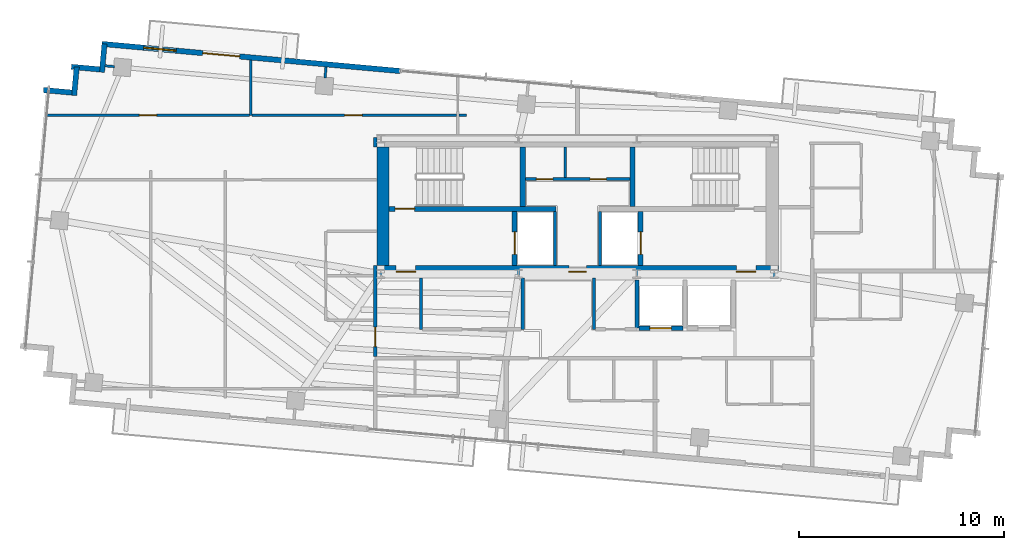
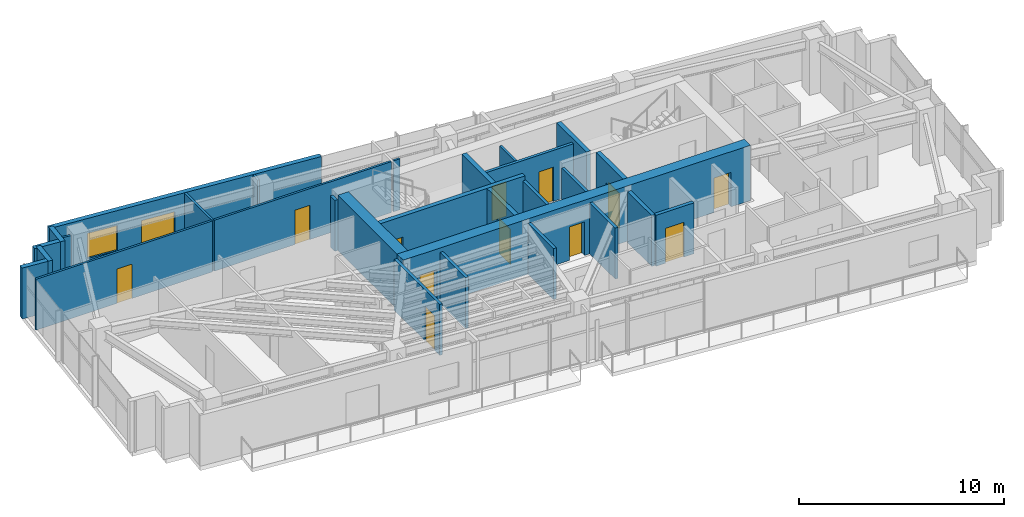
# One storey, part 17 of 22: 29 walls, 13 doors, 1 window, 14 openings.
"""IFC4 building model written with IfcOpenShell, lengths in metres."""

from ifc_helpers import new_model, si_unit, direction, frame, frame_2d, origin, place, context, subcontext, project, spatial, rectangle, extrude, source, transform, mapped, material, layer, layer_set, type_object, type_shapes, element, fill, save


model = new_model("IFC4")

# Units and contexts
model_context = context("Model", 3, precision=1e-05, world=origin(), true_north=direction((0.0, 1.0)))
body_context = subcontext(model_context, "Body", "Model", "MODEL_VIEW")
ifc_project = project(units=[si_unit("LENGTHUNIT", "METRE"), si_unit("AREAUNIT", "SQUARE_METRE"), si_unit("VOLUMEUNIT", "CUBIC_METRE"), si_unit("PLANEANGLEUNIT", "RADIAN"), si_unit("MASSUNIT", "GRAM", prefix="KILO")], contexts=[model_context])

# Site, building, storey
site_placement = place(None, origin())
site = spatial("IfcSite", under=ifc_project, at=site_placement, CompositionType="ELEMENT")
building_placement = place(site_placement, origin())
building = spatial("IfcBuilding", under=site, at=building_placement, Name="Astriad Promenade Condominiums", CompositionType="ELEMENT")
storey_placement = place(building_placement, frame((0.0, 0.0, 236.39990234375)))
storey = spatial("IfcBuildingStorey", under=building, at=storey_placement, Name="L68", CompositionType="ELEMENT", Elevation=236.39990234375)

# Wall, openings, doors
ifc_material_1 = material(Name="Concrete C50/60", Category="concrete")
ifc_layer_1 = layer(ifc_material_1, 0.60009765625)
ifc_layer_set_1 = layer_set([ifc_layer_1], Name="Concrete C50/60")
wall_type_1 = type_object("IfcWallType", Name="CW-SHEAR-600", PredefinedType="SHEAR", material=ifc_layer_set_1)
wall_1_placement = place(storey_placement, frame((26.199951171875, 17.5, 0.0), z_axis=(0.0, 0.0, 1.0), x_axis=(1.0, 0.0, 0.0)))
wall_1 = element("IfcWall", 1, at=wall_1_placement, inside=storey, type_object=wall_type_1, Name="CW-CORE-S-L68", PredefinedType="SHEAR", context=body_context, shape_type="SweptSolid", body=[
    extrude(rectangle(XDim=19.60009765625, YDim=0.60009765625, at=frame_2d((9.800048828125, 0.0))), origin(), (0.0, 0.0, 1.0), 3.300048828125),
])
opening_1_placement = place(wall_1_placement, frame((0.949951171875, 0.0, 0.0)))
opening_1 = element("IfcOpeningElement", 2, at=opening_1_placement, cuts=wall_1, Name="Opening FD90-ST-095", PredefinedType="OPENING", context=body_context, shape_type="SweptSolid", body=[
    extrude(rectangle(XDim=0.949951171875, YDim=2.06005859375, at=frame_2d((0.47509765625, 1.030029296875))), frame((0.0, 0.31005859375, 0.0), z_axis=(0.0, -1.0, 0.0), x_axis=(1.0, 0.0, 0.0)), (0.0, 0.0, 1.0), 0.6201171875),
])
opening_2_placement = place(wall_1_placement, frame((9.3798828125, 0.0, 0.0)))
opening_2 = element("IfcOpeningElement", 3, at=opening_2_placement, cuts=wall_1, Name="Opening FD60-ULOW-085", PredefinedType="OPENING", context=body_context, shape_type="SweptSolid", body=[
    extrude(rectangle(XDim=0.85009765625, YDim=2.0, at=frame_2d((0.425048828125, 1.0))), frame((0.0, 0.31005859375, 0.0), z_axis=(0.0, -1.0, 0.0), x_axis=(1.0, 0.0, 0.0)), (0.0, 0.0, 1.0), 0.6201171875),
])
opening_3_placement = place(wall_1_placement, frame((17.550048828125, 0.0, 0.0)))
opening_3 = element("IfcOpeningElement", 4, at=opening_3_placement, cuts=wall_1, Name="Opening FD90-ST-095", PredefinedType="OPENING", context=body_context, shape_type="SweptSolid", body=[
    extrude(rectangle(XDim=0.949951171875, YDim=2.06005859375, at=frame_2d((0.47509765625, 1.030029296875))), frame((0.0, 0.31005859375, 0.0), z_axis=(0.0, -1.0, 0.0), x_axis=(1.0, 0.0, 0.0)), (0.0, 0.0, 1.0), 0.6201171875),
])
ifc_material_2 = material(Name="Fire-Rated Hollow Metal Stair Door")
door_type_1 = type_object("IfcDoorType", Name="FD90-ST-095", OperationType="NOTDEFINED", PredefinedType="DOOR", material=ifc_material_2)
shared_shape_1 = source(origin(), body_context, "Body", "SweptSolid", [
    extrude(rectangle(XDim=0.949951171875, YDim=2.06005859375, at=frame_2d((0.47509765625, 1.030029296875))), frame((0.0, 0.02490234375, 0.0), z_axis=(0.0, -1.0, 0.0), x_axis=(1.0, 0.0, 0.0)), (0.0, 0.0, 1.0), 0.050048828125),
])
type_shapes(door_type_1, [shared_shape_1])
door_1_placement = place(opening_1_placement, origin())
door_1 = element("IfcDoor", 5, at=door_1_placement, inside=storey, type_object=door_type_1, Name="D-FFW-L68", OperationType="SINGLE_SWING_LEFT", OverallHeight=2.06005859375, OverallWidth=0.949951171875, PredefinedType="DOOR", context=body_context, shape_type="MappedRepresentation", body=[
    mapped(shared_shape_1, transform((0.0, 0.0, 0.0), scale=1.0)),
])
fill(opening_1, door_1)
door_2_placement = place(opening_3_placement, origin())
door_2 = element("IfcDoor", 6, at=door_2_placement, inside=storey, type_object=door_type_1, Name="D-FFE-L68", OperationType="SINGLE_SWING_RIGHT", OverallHeight=2.06005859375, OverallWidth=0.949951171875, PredefinedType="DOOR", context=body_context, shape_type="MappedRepresentation", body=[
    mapped(shared_shape_1, transform((0.0, 0.0, 0.0), scale=1.0)),
])
fill(opening_3, door_2)
ifc_material_3 = material(Name="Solid-Core Low-Headroom Fire Door")
door_type_2 = type_object("IfcDoorType", Name="FD60-ULOW-085", OperationType="NOTDEFINED", PredefinedType="DOOR", material=ifc_material_3)
shared_shape_2 = source(origin(), body_context, "Body", "SweptSolid", [
    extrude(rectangle(XDim=0.85009765625, YDim=2.0, at=frame_2d((0.425048828125, 1.0))), frame((0.0, 0.02490234375, 0.0), z_axis=(0.0, -1.0, 0.0), x_axis=(1.0, 0.0, 0.0)), (0.0, 0.0, 1.0), 0.050048828125),
])
type_shapes(door_type_2, [shared_shape_2])
door_3_placement = place(opening_2_placement, origin())
door_3 = element("IfcDoor", 7, at=door_3_placement, inside=storey, type_object=door_type_2, Name="D-CSL-L68", OperationType="SINGLE_SWING_RIGHT", OverallHeight=2.0, OverallWidth=0.85009765625, PredefinedType="DOOR", context=body_context, shape_type="MappedRepresentation", body=[
    mapped(shared_shape_2, transform((0.0, 0.0, 0.0), scale=1.0)),
])
fill(opening_2, door_3)

# Wall
wall_2_placement = place(storey_placement, frame((26.5, 17.802001953125, 0.0), z_axis=(0.0, 0.0, 1.0), x_axis=(0.0, 1.0, 0.0)))
element("IfcWall", 8, at=wall_2_placement, inside=storey, type_object=wall_type_1, Name="CW-CORE-W-L68", PredefinedType="SHEAR", context=body_context, shape_type="SweptSolid", body=[
    extrude(rectangle(XDim=5.7958984375, YDim=0.60009765625, at=frame_2d((2.89794921875, 0.0))), origin(), (0.0, 0.0, 1.0), 3.300048828125),
])

# Wall, opening, door
ifc_layer_2 = layer(ifc_material_1, 0.25)
ifc_layer_set_2 = layer_set([ifc_layer_2], Name="Concrete C50/60")
wall_type_2 = type_object("IfcWallType", Name="WALL-CORE-INT-250", PredefinedType="SOLIDWALL", material=ifc_layer_set_2)
wall_3_placement = place(storey_placement, frame((26.802001953125, 20.574951171875, 0.0), z_axis=(0.0, 0.0, 1.0), x_axis=(1.0, 0.0, 0.0)))
wall_3 = element("IfcWall", 9, at=wall_3_placement, inside=storey, type_object=wall_type_2, Name="CW-INT-H1-L68", PredefinedType="SOLIDWALL", context=body_context, shape_type="SweptSolid", body=[
    extrude(rectangle(XDim=8.14794921875, YDim=0.25, at=frame_2d((4.073974609375, 0.0))), origin(), (0.0, 0.0, 1.0), 3.300048828125),
])
opening_4_placement = place(wall_3_placement, frame((0.298095703125, 0.0, 0.0)))
opening_4 = element("IfcOpeningElement", 10, at=opening_4_placement, cuts=wall_3, Name="Opening FD90-ST-095", PredefinedType="OPENING", context=body_context, shape_type="SweptSolid", body=[
    extrude(rectangle(XDim=0.949951171875, YDim=2.06005859375, at=frame_2d((0.47509765625, 1.030029296875))), frame((0.0, 0.135009765625, 0.0), z_axis=(0.0, -1.0, 0.0), x_axis=(1.0, 0.0, 0.0)), (0.0, 0.0, 1.0), 0.27001953125),
])
door_4_placement = place(opening_4_placement, origin())
door_4 = element("IfcDoor", 11, at=door_4_placement, inside=storey, type_object=door_type_1, Name="D-ST1-L68", OperationType="SINGLE_SWING_LEFT", OverallHeight=2.06005859375, OverallWidth=0.949951171875, PredefinedType="DOOR", context=body_context, shape_type="MappedRepresentation", body=[
    mapped(shared_shape_1, transform((0.0, 0.0, 0.0), scale=1.0)),
])
fill(opening_4, door_4)

# Walls
for number, where, z_axis, x_axis, name in (
    (12, (33.324951171875, 20.701904296875, 0.0), (0.0, 0.0, 1.0), (0.0, 1.0, 0.0), "CW-ST1-E-L68"),
    (13, (38.675048828125, 20.701904296875, 0.0), (0.0, 0.0, 1.0), (0.0, 1.0, 0.0), "CW-ST2-W-L68"),
):
    element("IfcWall", number, at=place(storey_placement, frame(where, z_axis=z_axis, x_axis=x_axis)), inside=storey, type_object=wall_type_2, Name=name, PredefinedType="SOLIDWALL", context=body_context, shape_type="SweptSolid", body=[
        extrude(rectangle(XDim=2.89599609375, YDim=0.25, at=frame_2d((1.447998046875, 0.0))), origin(), (0.0, 0.0, 1.0), 3.300048828125),
    ])

# Wall, opening, door
wall_4_placement = place(storey_placement, frame((32.925048828125, 17.802001953125, 0.0), z_axis=(0.0, 0.0, 1.0), x_axis=(0.0, 1.0, 0.0)))
wall_4 = element("IfcWall", 14, at=wall_4_placement, inside=storey, type_object=wall_type_2, Name="CW-FFL1-W-L68", PredefinedType="SOLIDWALL", context=body_context, shape_type="SweptSolid", body=[
    extrude(rectangle(XDim=2.64599609375, YDim=0.25, at=frame_2d((1.322998046875, 0.0))), origin(), (0.0, 0.0, 1.0), 3.300048828125),
])
opening_5_placement = place(wall_4_placement, frame((0.548095703125, 0.0, 0.0)))
opening_5 = element("IfcOpeningElement", 15, at=opening_5_placement, cuts=wall_4, Name="Opening LD-FFL-1122", PredefinedType="OPENING", context=body_context, shape_type="SweptSolid", body=[
    extrude(rectangle(XDim=1.10009765625, YDim=2.080078125, at=frame_2d((0.550048828125, 1.0400390625))), frame((0.0, 0.135009765625, 0.0), z_axis=(0.0, -1.0, 0.0), x_axis=(1.0, 0.0, 0.0)), (0.0, 0.0, 1.0), 0.27001953125),
])
ifc_material_4 = material(Name="Brushed Stainless Steel Fire Elevator Landing Door", Category="steel")
door_type_3 = type_object("IfcDoorType", Name="LD-FFL-1122", OperationType="NOTDEFINED", PredefinedType="DOOR", material=ifc_material_4)
shared_shape_3 = source(origin(), body_context, "Body", "SweptSolid", [
    extrude(rectangle(XDim=1.10009765625, YDim=2.080078125, at=frame_2d((0.550048828125, 1.0400390625))), frame((0.0, 0.02490234375, 0.0), z_axis=(0.0, -1.0, 0.0), x_axis=(1.0, 0.0, 0.0)), (0.0, 0.0, 1.0), 0.050048828125),
])
type_shapes(door_type_3, [shared_shape_3])
door_5_placement = place(opening_5_placement, origin())
door_5 = element("IfcDoor", 16, at=door_5_placement, inside=storey, type_object=door_type_3, Name="Elevator Landing Door FFL-1 (L68)", OperationType="SLIDING_TO_LEFT", OverallHeight=2.080078125, OverallWidth=1.10009765625, PredefinedType="DOOR", context=body_context, shape_type="MappedRepresentation", body=[
    mapped(shared_shape_3, transform((0.0, 0.0, 0.0), scale=1.0)),
])
fill(opening_5, door_5)

wall_5_placement = place(storey_placement, frame((39.074951171875, 17.802001953125, 0.0), z_axis=(0.0, 0.0, 1.0), x_axis=(0.0, 1.0, 0.0)))
wall_5 = element("IfcWall", 17, at=wall_5_placement, inside=storey, type_object=wall_type_2, Name="CW-FFL2-E-L68", PredefinedType="SOLIDWALL", context=body_context, shape_type="SweptSolid", body=[
    extrude(rectangle(XDim=2.64599609375, YDim=0.25, at=frame_2d((1.322998046875, 0.0))), origin(), (0.0, 0.0, 1.0), 3.300048828125),
])
opening_6_placement = place(wall_5_placement, frame((0.548095703125, 0.0, 0.0)))
opening_6 = element("IfcOpeningElement", 18, at=opening_6_placement, cuts=wall_5, Name="Opening LD-FFL-1122", PredefinedType="OPENING", context=body_context, shape_type="SweptSolid", body=[
    extrude(rectangle(XDim=1.10009765625, YDim=2.080078125, at=frame_2d((0.550048828125, 1.0400390625))), frame((0.0, 0.135009765625, 0.0), z_axis=(0.0, -1.0, 0.0), x_axis=(1.0, 0.0, 0.0)), (0.0, 0.0, 1.0), 0.27001953125),
])
door_6_placement = place(opening_6_placement, origin())
door_6 = element("IfcDoor", 19, at=door_6_placement, inside=storey, type_object=door_type_3, Name="Elevator Landing Door FFL-2 (L68)", OperationType="SLIDING_TO_RIGHT", OverallHeight=2.080078125, OverallWidth=1.10009765625, PredefinedType="DOOR", context=body_context, shape_type="MappedRepresentation", body=[
    mapped(shared_shape_3, transform((0.0, 0.0, 0.0), scale=1.0)),
])
fill(opening_6, door_6)

# Walls
ifc_material_5 = material(Name="Fire-Rated Gypsum Partition")
ifc_layer_3 = layer(ifc_material_5, 0.159912109375)
ifc_layer_set_3 = layer_set([ifc_layer_3], Name="Fire-Rated Gypsum Partition")
wall_type_3 = type_object("IfcWallType", Name="WALL-CORR-160", PredefinedType="PARTITIONING", material=ifc_layer_set_3)
for number, where, z_axis, x_axis, name in (
    (20, (34.89990234375, 17.802001953125, 0.0), (0.0, 0.0, 1.0), (0.0, 1.0, 0.0), "CW-FFL1-E-L68"),
    (21, (37.10009765625, 17.802001953125, 0.0), (0.0, 0.0, 1.0), (0.0, 1.0, 0.0), "CW-FFL2-W-L68"),
):
    element("IfcWall", number, at=place(storey_placement, frame(where, z_axis=z_axis, x_axis=x_axis)), inside=storey, type_object=wall_type_3, Name=name, PredefinedType="PARTITIONING", context=body_context, shape_type="SweptSolid", body=[
        extrude(rectangle(XDim=2.64599609375, YDim=0.159912109375, at=frame_2d((1.322998046875, 0.0))), origin(), (0.0, 0.0, 1.0), 3.0400390625),
    ])

# Wall, openings, doors
wall_6_placement = place(storey_placement, frame((33.451904296875, 22.030029296875, 0.0), z_axis=(0.0, 0.0, 1.0), x_axis=(1.0, 0.0, 0.0)))
wall_6 = element("IfcWall", 22, at=wall_6_placement, inside=storey, type_object=wall_type_3, Name="CW-AUX-N-L68", PredefinedType="PARTITIONING", context=body_context, shape_type="SweptSolid", body=[
    extrude(rectangle(XDim=5.09619140625, YDim=0.159912109375, at=frame_2d((2.548095703125, 0.0))), origin(), (0.0, 0.0, 1.0), 3.0400390625),
])
opening_7_placement = place(wall_6_placement, frame((0.5380859375, 0.0, 0.0)))
opening_7 = element("IfcOpeningElement", 23, at=opening_7_placement, cuts=wall_6, Name="Opening FD60-SV-080", PredefinedType="OPENING", context=body_context, shape_type="SweptSolid", body=[
    extrude(rectangle(XDim=0.800048828125, YDim=2.050048828125, at=frame_2d((0.39990234375, 1.02490234375))), frame((0.0, 0.08984375, 0.0), z_axis=(0.0, -1.0, 0.0), x_axis=(1.0, 0.0, 0.0)), (0.0, 0.0, 1.0), 0.179931640625),
])
opening_8_placement = place(wall_6_placement, frame((3.157958984375, 0.0, 0.0)))
opening_8 = element("IfcOpeningElement", 24, at=opening_8_placement, cuts=wall_6, Name="Opening FD60-SV-080", PredefinedType="OPENING", context=body_context, shape_type="SweptSolid", body=[
    extrude(rectangle(XDim=0.800048828125, YDim=2.050048828125, at=frame_2d((0.39990234375, 1.02490234375))), frame((0.0, 0.08984375, 0.0), z_axis=(0.0, -1.0, 0.0), x_axis=(1.0, 0.0, 0.0)), (0.0, 0.0, 1.0), 0.179931640625),
])
ifc_material_6 = material(Name="Fire-Rated Riser Closet Door")
door_type_4 = type_object("IfcDoorType", Name="FD60-SV-080", OperationType="NOTDEFINED", PredefinedType="DOOR", material=ifc_material_6)
shared_shape_4 = source(origin(), body_context, "Body", "SweptSolid", [
    extrude(rectangle(XDim=0.800048828125, YDim=2.050048828125, at=frame_2d((0.39990234375, 1.02490234375))), frame((0.0, 0.02490234375, 0.0), z_axis=(0.0, -1.0, 0.0), x_axis=(1.0, 0.0, 0.0)), (0.0, 0.0, 1.0), 0.050048828125),
])
type_shapes(door_type_4, [shared_shape_4])
door_7_placement = place(opening_7_placement, origin())
door_7 = element("IfcDoor", 25, at=door_7_placement, inside=storey, type_object=door_type_4, Name="D-AUX1-L68", OperationType="SINGLE_SWING_LEFT", OverallHeight=2.050048828125, OverallWidth=0.800048828125, PredefinedType="DOOR", context=body_context, shape_type="MappedRepresentation", body=[
    mapped(shared_shape_4, transform((0.0, 0.0, 0.0), scale=1.0)),
])
fill(opening_7, door_7)
door_8_placement = place(opening_8_placement, origin())
door_8 = element("IfcDoor", 26, at=door_8_placement, inside=storey, type_object=door_type_4, Name="D-AUX2-L68", OperationType="SINGLE_SWING_RIGHT", OverallHeight=2.050048828125, OverallWidth=0.800048828125, PredefinedType="DOOR", context=body_context, shape_type="MappedRepresentation", body=[
    mapped(shared_shape_4, transform((0.0, 0.0, 0.0), scale=1.0)),
])
fill(opening_8, door_8)

# Wall, opening, door
wall_7_placement = place(storey_placement, frame((26.1201171875, 13.362060546875, 0.0), z_axis=(0.0, 0.0, 1.0), x_axis=(0.0, 1.0, 0.0)))
wall_7 = element("IfcWall", 27, at=wall_7_placement, inside=storey, type_object=wall_type_3, Name="PT-COR-W-L68-S2", PredefinedType="PARTITIONING", context=body_context, shape_type="SweptSolid", body=[
    extrude(rectangle(XDim=4.43994140625, YDim=0.159912109375, at=frame_2d((2.219970703125, 0.0))), origin(), (0.0, 0.0, 1.0), 3.0400390625),
])
opening_9_placement = place(wall_7_placement, frame((0.492919921875, 0.0, 0.0)))
opening_9 = element("IfcOpeningElement", 28, at=opening_9_placement, cuts=wall_7, Name="Opening FD60-APT-095", PredefinedType="OPENING", context=body_context, shape_type="SweptSolid", body=[
    extrude(rectangle(XDim=0.949951171875, YDim=2.06005859375, at=frame_2d((0.47509765625, 1.030029296875))), frame((0.0, 0.08984375, 0.0), z_axis=(0.0, -1.0, 0.0), x_axis=(1.0, 0.0, 0.0)), (0.0, 0.0, 1.0), 0.179931640625),
])
ifc_material_7 = material(Name="Solid-Core Acoustic Timber Residence Entry Door", Category="wood")
door_type_5 = type_object("IfcDoorType", Name="FD60-APT-095", OperationType="NOTDEFINED", PredefinedType="DOOR", material=ifc_material_7)
shared_shape_5 = source(origin(), body_context, "Body", "SweptSolid", [
    extrude(rectangle(XDim=0.949951171875, YDim=2.06005859375, at=frame_2d((0.47509765625, 1.030029296875))), frame((0.0, 0.02490234375, 0.0), z_axis=(0.0, -1.0, 0.0), x_axis=(1.0, 0.0, 0.0)), (0.0, 0.0, 1.0), 0.050048828125),
])
type_shapes(door_type_5, [shared_shape_5])
door_9_placement = place(opening_9_placement, origin())
door_9 = element("IfcDoor", 29, at=door_9_placement, inside=storey, type_object=door_type_5, Name="D-ENT-L68-W1", OperationType="SINGLE_SWING_RIGHT", OverallHeight=2.06005859375, OverallWidth=0.949951171875, PredefinedType="DOOR", context=body_context, shape_type="MappedRepresentation", body=[
    mapped(shared_shape_5, transform((0.0, 0.0, 0.0), scale=1.0)),
])
fill(opening_9, door_9)

# Walls
wall_8_placement = place(storey_placement, frame((26.1201171875, 23.597900390625, 0.0), z_axis=(0.0, 0.0, 1.0), x_axis=(0.0, 1.0, 0.0)))
element("IfcWall", 30, at=wall_8_placement, inside=storey, type_object=wall_type_3, Name="PT-COR-W-L68-S3", PredefinedType="PARTITIONING", context=body_context, shape_type="SweptSolid", body=[
    extrude(rectangle(XDim=0.4521484375, YDim=0.159912109375, at=frame_2d((0.22607421875, 0.0))), origin(), (0.0, 0.0, 1.0), 3.0400390625),
])
for number, where, z_axis, x_axis, name in (
    (31, (28.360107421875, 14.699951171875, 0.0), (0.0, 0.0, 1.0), (0.0, 1.0, 0.0), "PT-Z3REC-W-L68"),
    (32, (33.320068359375, 14.699951171875, 0.0), (0.0, 0.0, 1.0), (0.0, 1.0, 0.0), "PT-Z3REC-E-L68"),
    (33, (36.800048828125, 14.699951171875, 0.0), (0.0, 0.0, 1.0), (0.0, 1.0, 0.0), "PT-Z3R2-W-L68"),
):
    element("IfcWall", number, at=place(storey_placement, frame(where, z_axis=z_axis, x_axis=x_axis)), inside=storey, type_object=wall_type_3, Name=name, PredefinedType="PARTITIONING", context=body_context, shape_type="SweptSolid", body=[
        extrude(rectangle(XDim=2.498046875, YDim=0.159912109375, at=frame_2d((1.2490234375, 0.0))), origin(), (0.0, 0.0, 1.0), 3.0400390625),
    ])
ifc_material_8 = material(Name="Precast concrete C50/60", Category="concrete")
ifc_layer_4 = layer(ifc_material_8, 0.260009765625)
ifc_layer_set_4 = layer_set([ifc_layer_4], Name="Precast concrete C50/60")
wall_type_4 = type_object("IfcWallType", Name="WALL-EXT-TWR-260", PredefinedType="STANDARD", material=ifc_layer_set_4)
for number, where, z_axis, x_axis, name in (
    (34, (9.93505859375, 26.376708984375, 0.0), (0.0, 0.0, 1.0), (0.995881721538, -0.090661991521, 0.0), "W-SER-L68-04"),
    (35, (11.427001953125, 26.110595703125, 0.0), (0.0, 0.0, 1.0), (0.090835571917, 0.995865904063, 0.0), "W-SER-L68-05"),
):
    element("IfcWall", number, at=place(storey_placement, frame(where, z_axis=z_axis, x_axis=x_axis)), inside=storey, type_object=wall_type_4, Name=name, PredefinedType="STANDARD", context=body_context, shape_type="SweptSolid", body=[
        extrude(rectangle(XDim=1.39501953125, YDim=0.260009765625, at=frame_2d((0.697509765625, 0.0))), origin(), (0.0, 0.0, 1.0), 3.0400390625),
    ])
wall_9_placement = place(storey_placement, frame((11.293212890625, 27.50830078125, 0.0), z_axis=(0.0, 0.0, 1.0), x_axis=(0.995883159782, -0.090646191665, 0.0)))
element("IfcWall", 36, at=wall_9_placement, inside=storey, type_object=wall_type_4, Name="W-SER-L68-06", PredefinedType="STANDARD", context=body_context, shape_type="SweptSolid", body=[
    extrude(rectangle(XDim=1.395263671875, YDim=0.260009765625, at=frame_2d((0.69775390625, 0.0))), origin(), (0.0, 0.0, 1.0), 3.0400390625),
])
wall_10_placement = place(storey_placement, frame((12.785400390625, 27.241943359375, 0.0), z_axis=(0.0, 0.0, 1.0), x_axis=(0.090472632758, 0.995898942023, 0.0)))
element("IfcWall", 37, at=wall_10_placement, inside=storey, type_object=wall_type_4, Name="W-SER-L68-07", PredefinedType="STANDARD", context=body_context, shape_type="SweptSolid", body=[
    extrude(rectangle(XDim=1.39501953125, YDim=0.260009765625, at=frame_2d((0.697509765625, 0.0))), origin(), (0.0, 0.0, 1.0), 3.0400390625),
])

# Wall, openings, door, window
wall_11_placement = place(storey_placement, frame((12.78076171875, 28.628173828125, 0.0), z_axis=(0.0, 0.0, 1.0), x_axis=(0.995884584572, -0.090630536861, 0.0)))
wall_11 = element("IfcWall", 38, at=wall_11_placement, inside=storey, type_object=wall_type_4, Name="W-EXT-L68-N1", PredefinedType="STANDARD", context=body_context, shape_type="SweptSolid", body=[
    extrude(rectangle(XDim=14.630126953125, YDim=0.260009765625, at=frame_2d((7.31494140625, 0.0))), origin(), (0.0, 0.0, 1.0), 3.0400390625),
])
opening_10_placement = place(wall_11_placement, frame((4.950927734375, 0.0, 0.0)))
opening_10 = element("IfcOpeningElement", 39, at=opening_10_placement, cuts=wall_11, Name="Opening BD-1822-SLD", PredefinedType="OPENING", context=body_context, shape_type="SweptSolid", body=[
    extrude(rectangle(XDim=1.800048828125, YDim=2.06005859375, at=frame_2d((0.89990234375, 1.030029296875))), frame((0.0, 0.139892578125, 0.0), z_axis=(0.0, -1.0, 0.0), x_axis=(1.0, 0.0, 0.0)), (0.0, 0.0, 1.0), 0.280029296875),
])
opening_11_placement = place(wall_11_placement, frame((2.050048828125, 0.0, 0.64990234375)))
opening_11 = element("IfcOpeningElement", 40, at=opening_11_placement, cuts=wall_11, Name="Opening WIN-TWR-1620", PredefinedType="OPENING", context=body_context, shape_type="SweptSolid", body=[
    extrude(rectangle(XDim=1.60009765625, YDim=1.5, at=frame_2d((0.800048828125, 0.75))), frame((0.0, 0.139892578125, 0.0), z_axis=(0.0, -1.0, 0.0), x_axis=(1.0, 0.0, 0.0)), (0.0, 0.0, 1.0), 0.280029296875),
])
ifc_material_9 = material(Name="Thermally Broken Aluminium Sliding Balcony Door", Category="aluminium")
door_type_6 = type_object("IfcDoorType", Name="BD-1822-SLD", OperationType="NOTDEFINED", PredefinedType="DOOR", material=ifc_material_9)
shared_shape_6 = source(origin(), body_context, "Body", "SweptSolid", [
    extrude(rectangle(XDim=1.800048828125, YDim=2.06005859375, at=frame_2d((0.89990234375, 1.030029296875))), frame((0.0, 0.02490234375, 0.0), z_axis=(0.0, -1.0, 0.0), x_axis=(1.0, 0.0, 0.0)), (0.0, 0.0, 1.0), 0.050048828125),
])
type_shapes(door_type_6, [shared_shape_6])
door_10_placement = place(opening_10_placement, origin())
door_10 = element("IfcDoor", 41, at=door_10_placement, inside=storey, type_object=door_type_6, Name="BD-L68-NW", OperationType="SLIDING_TO_LEFT", OverallHeight=2.06005859375, OverallWidth=1.800048828125, PredefinedType="DOOR", context=body_context, shape_type="MappedRepresentation", body=[
    mapped(shared_shape_6, transform((0.0, 0.0, 0.0), scale=1.0)),
])
fill(opening_10, door_10)
ifc_material_10 = material(Name="Dark Tinted Triple-Glazed Aluminium Window", Category="aluminium")
window_type = type_object("IfcWindowType", Name="WIN-TWR-1620", PartitioningType="SINGLE_PANEL", PredefinedType="WINDOW", material=ifc_material_10)
shared_shape_7 = source(origin(), body_context, "Body", "SweptSolid", [
    extrude(rectangle(XDim=1.60009765625, YDim=1.5, at=frame_2d((0.800048828125, 0.75))), frame((0.0, 0.030029296875, 0.0), z_axis=(0.0, -1.0, 0.0), x_axis=(1.0, 0.0, 0.0)), (0.0, 0.0, 1.0), 0.06005859375),
])
type_shapes(window_type, [shared_shape_7])
window_placement = place(opening_11_placement, origin())
window = element("IfcWindow", 42, at=window_placement, inside=storey, type_object=window_type, Name="WIN-L68-NW", OverallHeight=1.5, OverallWidth=1.60009765625, PartitioningType="SINGLE_PANEL", PredefinedType="WINDOW", context=body_context, shape_type="MappedRepresentation", body=[
    mapped(shared_shape_7, transform((0.0, 0.0, 0.0), scale=1.0)),
])
fill(opening_11, window)

# Walls
ifc_material_11 = material(Name="Acoustic Metal-Stud Gypsum Partition")
ifc_layer_5 = layer(ifc_material_11, 0.1201171875)
ifc_layer_set_5 = layer_set([ifc_layer_5], Name="Acoustic Metal-Stud Gypsum Partition")
wall_type_5 = type_object("IfcWallType", Name="WALL-PART-120", PredefinedType="PARTITIONING", material=ifc_layer_set_5)
wall_12_placement = place(storey_placement, frame((35.39990234375, 22.112060546875, 0.0), z_axis=(0.0, 0.0, 1.0), x_axis=(0.0, 1.0, 0.0)))
element("IfcWall", 43, at=wall_12_placement, inside=storey, type_object=wall_type_5, Name="CW-AUX-V1-L68", PredefinedType="PARTITIONING", context=body_context, shape_type="SweptSolid", body=[
    extrude(rectangle(XDim=1.48583984375, YDim=0.1201171875, at=frame_2d((0.742919921875, 0.0))), origin(), (0.0, 0.0, 1.0), 3.0400390625),
])
wall_13_placement = place(storey_placement, frame((20.044921875, 25.14208984375, 0.0), z_axis=(0.0, 0.0, 1.0), x_axis=(0.0, 1.0, 0.0)))
element("IfcWall", 44, at=wall_13_placement, inside=storey, type_object=wall_type_5, Name="PT-L68-W1-B1M", PredefinedType="PARTITIONING", context=body_context, shape_type="SweptSolid", body=[
    extrude(rectangle(XDim=2.6923828125, YDim=0.1201171875, at=frame_2d((1.34619140625, 0.0))), origin(), (0.0, 0.0, 1.0), 3.0400390625),
])

# Wall, opening, door
wall_14_placement = place(storey_placement, frame((10.03369140625, 25.14208984375, 0.0), z_axis=(0.0, 0.0, 1.0), x_axis=(1.0, 0.0, 0.0)))
wall_14 = element("IfcWall", 45, at=wall_14_placement, inside=storey, type_object=wall_type_5, Name="PT-L68-W1-B1", PredefinedType="PARTITIONING", context=body_context, shape_type="SweptSolid", body=[
    extrude(rectangle(XDim=9.94921875, YDim=0.1201171875, at=frame_2d((4.974609375, 0.0))), origin(), (0.0, 0.0, 1.0), 3.0400390625),
])
opening_12_placement = place(wall_14_placement, frame((4.573486328125, 0.0, 0.0)))
opening_12 = element("IfcOpeningElement", 46, at=opening_12_placement, cuts=wall_14, Name="Opening D-INT-085", PredefinedType="OPENING", context=body_context, shape_type="SweptSolid", body=[
    extrude(rectangle(XDim=0.85009765625, YDim=2.050048828125, at=frame_2d((0.425048828125, 1.02490234375))), frame((0.0, 0.070068359375, 0.0), z_axis=(0.0, -1.0, 0.0), x_axis=(1.0, 0.0, 0.0)), (0.0, 0.0, 1.0), 0.14013671875),
])
ifc_material_12 = material(Name="Painted Solid-Core Timber Room Door", Category="wood")
door_type_7 = type_object("IfcDoorType", Name="D-INT-085", OperationType="NOTDEFINED", PredefinedType="DOOR", material=ifc_material_12)
shared_shape_8 = source(origin(), body_context, "Body", "SweptSolid", [
    extrude(rectangle(XDim=0.85009765625, YDim=2.050048828125, at=frame_2d((0.425048828125, 1.02490234375))), frame((0.0, 0.02490234375, 0.0), z_axis=(0.0, -1.0, 0.0), x_axis=(1.0, 0.0, 0.0)), (0.0, 0.0, 1.0), 0.050048828125),
])
type_shapes(door_type_7, [shared_shape_8])
door_11_placement = place(opening_12_placement, origin())
door_11 = element("IfcDoor", 47, at=door_11_placement, inside=storey, type_object=door_type_7, Name="D-BD1-L68-W1", OperationType="SINGLE_SWING_RIGHT", OverallHeight=2.050048828125, OverallWidth=0.85009765625, PredefinedType="DOOR", context=body_context, shape_type="MappedRepresentation", body=[
    mapped(shared_shape_8, transform((0.0, 0.0, 0.0), scale=1.0)),
])
fill(opening_12, door_11)

wall_15_placement = place(storey_placement, frame((20.10693359375, 25.14208984375, 0.0), z_axis=(0.0, 0.0, 1.0), x_axis=(1.0, 0.0, 0.0)))
wall_15 = element("IfcWall", 48, at=wall_15_placement, inside=storey, type_object=wall_type_5, Name="PT-L68-W1-B1-S2", PredefinedType="PARTITIONING", context=body_context, shape_type="SweptSolid", body=[
    extrude(rectangle(XDim=9.98095703125, YDim=0.1201171875, at=frame_2d((4.990478515625, 0.0))), origin(), (0.0, 0.0, 1.0), 3.0400390625),
])
opening_13_placement = place(wall_15_placement, frame((4.52587890625, 0.0, 0.0)))
opening_13 = element("IfcOpeningElement", 49, at=opening_13_placement, cuts=wall_15, Name="Opening D-INT-085", PredefinedType="OPENING", context=body_context, shape_type="SweptSolid", body=[
    extrude(rectangle(XDim=0.85009765625, YDim=2.050048828125, at=frame_2d((0.425048828125, 1.02490234375))), frame((0.0, 0.070068359375, 0.0), z_axis=(0.0, -1.0, 0.0), x_axis=(1.0, 0.0, 0.0)), (0.0, 0.0, 1.0), 0.14013671875),
])
door_12_placement = place(opening_13_placement, origin())
door_12 = element("IfcDoor", 50, at=door_12_placement, inside=storey, type_object=door_type_7, Name="D-BD1B-L68-W1", OperationType="SINGLE_SWING_LEFT", OverallHeight=2.050048828125, OverallWidth=0.85009765625, PredefinedType="DOOR", context=body_context, shape_type="MappedRepresentation", body=[
    mapped(shared_shape_8, transform((0.0, 0.0, 0.0), scale=1.0)),
])
fill(opening_13, door_12)

# Walls
wall_16_placement = place(storey_placement, frame((30.2119140625, 25.14208984375, 0.0), z_axis=(0.0, 0.0, 1.0), x_axis=(1.0, 0.0, 0.0)))
element("IfcWall", 51, at=wall_16_placement, inside=storey, type_object=wall_type_5, Name="PT-L68-W1-B1-S3", PredefinedType="PARTITIONING", context=body_context, shape_type="SweptSolid", body=[
    extrude(rectangle(XDim=0.358154296875, YDim=0.1201171875, at=frame_2d((0.17919921875, 0.0))), origin(), (0.0, 0.0, 1.0), 3.0400390625),
])
wall_17_placement = place(storey_placement, frame((13.40283203125, 27.51708984375, 0.0), z_axis=(0.0, 0.0, 1.0), x_axis=(-0.995884462012, 0.090631883588, 0.0)))
element("IfcWall", 52, at=wall_17_placement, inside=storey, type_object=wall_type_5, Name="PT-PIL-L68-PC06-13", PredefinedType="PARTITIONING", context=body_context, shape_type="SweptSolid", body=[
    extrude(rectangle(XDim=0.4580078125, YDim=0.1201171875, at=frame_2d((0.22900390625, 0.0))), origin(), (0.0, 0.0, 1.0), 3.0400390625),
])
wall_18_placement = place(storey_placement, frame((23.6748046875, 26.9638671875, 0.0), z_axis=(0.0, 0.0, 1.0), x_axis=(0.090740281653, 0.995874591144, 0.0)))
element("IfcWall", 53, at=wall_18_placement, inside=storey, type_object=wall_type_5, Name="PT-PIL-L68-PC07-14", PredefinedType="PARTITIONING", context=body_context, shape_type="SweptSolid", body=[
    extrude(rectangle(XDim=0.5380859375, YDim=0.1201171875, at=frame_2d((0.26904296875, 0.0))), origin(), (0.0, 0.0, 1.0), 3.0400390625),
])
ifc_material_13 = material(Name="Gypsum Shaftliner Assembly")
ifc_layer_6 = layer(ifc_material_13, 0.199951171875)
ifc_layer_set_6 = layer_set([ifc_layer_6], Name="Gypsum Shaftliner Assembly")
wall_type_6 = type_object("IfcWallType", Name="WALL-SHAFT-200", PredefinedType="PARTITIONING", material=ifc_layer_set_6)
wall_19_placement = place(storey_placement, frame((38.89990234375, 14.75, 0.0), z_axis=(0.0, 0.0, 1.0), x_axis=(0.0, 1.0, 0.0)))
element("IfcWall", 54, at=wall_19_placement, inside=storey, type_object=wall_type_6, Name="PL-MH-DIV-L68", PredefinedType="PARTITIONING", context=body_context, shape_type="SweptSolid", body=[
    extrude(rectangle(XDim=2.35009765625, YDim=0.199951171875, at=frame_2d((1.175048828125, 0.0))), origin(), (0.0, 0.0, 1.0), 3.0400390625),
])

# Wall, opening, door
wall_20_placement = place(storey_placement, frame((39.001953125, 14.75, 0.0), z_axis=(0.0, 0.0, 1.0), x_axis=(1.0, 0.0, 0.0)))
wall_20 = element("IfcWall", 55, at=wall_20_placement, inside=storey, type_object=wall_type_6, Name="PL-H-FRT-L68", PredefinedType="PARTITIONING", context=body_context, shape_type="SweptSolid", body=[
    extrude(rectangle(XDim=2.14599609375, YDim=0.199951171875, at=frame_2d((1.072998046875, 0.0))), origin(), (0.0, 0.0, 1.0), 3.0400390625),
])
opening_14_placement = place(wall_20_placement, frame((0.52294921875, 0.0, 0.0)))
opening_14 = element("IfcOpeningElement", 56, at=opening_14_placement, cuts=wall_20, Name="Opening LD-PL-10522", PredefinedType="OPENING", context=body_context, shape_type="SweptSolid", body=[
    extrude(rectangle(XDim=1.050048828125, YDim=2.080078125, at=frame_2d((0.52490234375, 1.0400390625))), frame((0.0, 0.10986328125, 0.0), z_axis=(0.0, -1.0, 0.0), x_axis=(1.0, 0.0, 0.0)), (0.0, 0.0, 1.0), 0.219970703125),
])
ifc_material_14 = material(Name="Brushed Bronze Passenger Elevator Landing Door")
door_type_8 = type_object("IfcDoorType", Name="LD-PL-10522", OperationType="NOTDEFINED", PredefinedType="DOOR", material=ifc_material_14)
shared_shape_9 = source(origin(), body_context, "Body", "SweptSolid", [
    extrude(rectangle(XDim=1.050048828125, YDim=2.080078125, at=frame_2d((0.52490234375, 1.0400390625))), frame((0.0, 0.02490234375, 0.0), z_axis=(0.0, -1.0, 0.0), x_axis=(1.0, 0.0, 0.0)), (0.0, 0.0, 1.0), 0.050048828125),
])
type_shapes(door_type_8, [shared_shape_9])
door_13_placement = place(opening_14_placement, origin())
door_13 = element("IfcDoor", 57, at=door_13_placement, inside=storey, type_object=door_type_8, Name="Elevator Landing Door PL-H1 (L68)", OperationType="SLIDING_TO_LEFT", OverallHeight=2.080078125, OverallWidth=1.050048828125, PredefinedType="DOOR", context=body_context, shape_type="MappedRepresentation", body=[
    mapped(shared_shape_9, transform((0.0, 0.0, 0.0), scale=1.0)),
])
fill(opening_14, door_13)

save(model, "model.ifc")
